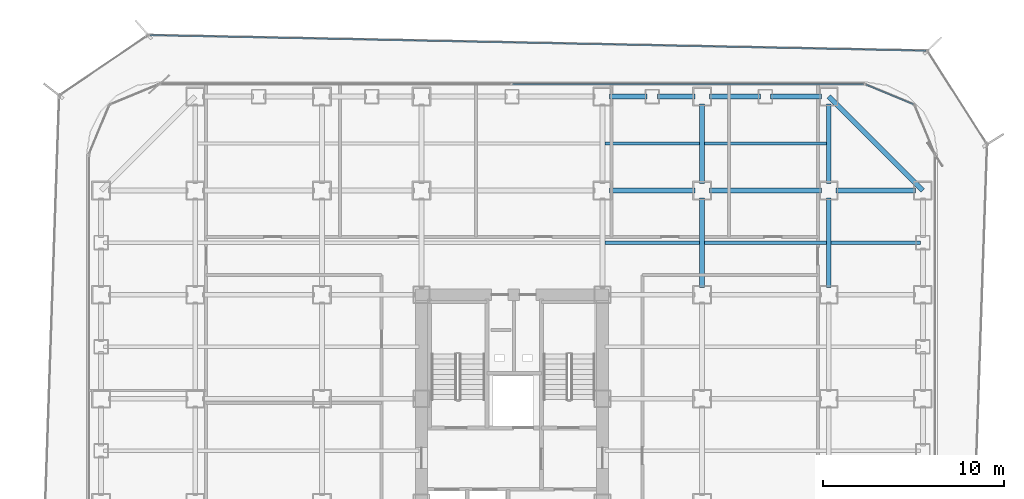
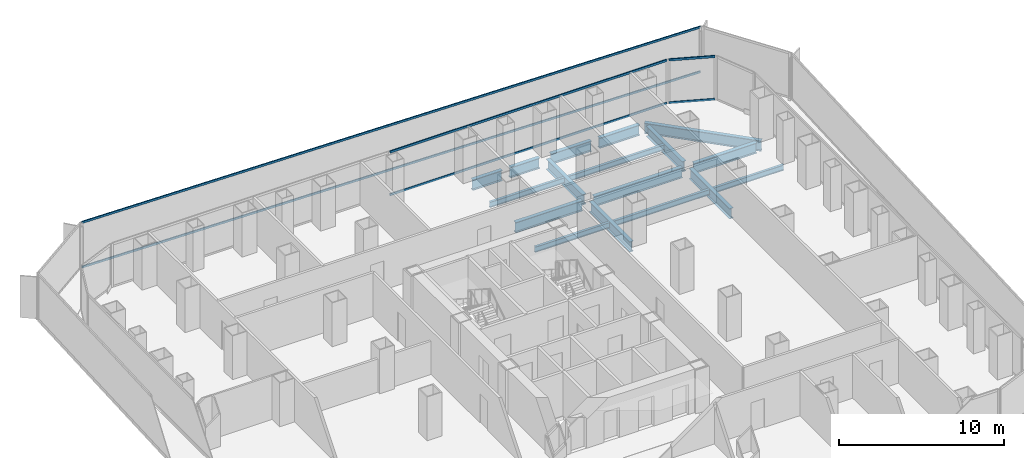
# One storey, part 14 of 22: 17 beams, 6 members, 3 elements without a shape of their own.
"""IFC4 building model written with IfcOpenShell, lengths in metres."""

from ifc_helpers import new_model, si_unit, direction, frame, origin, origin_2d, place, context, subcontext, project, spatial, hollow_rectangle, i_section, extrude, source, transform, mapped, material, layer, layer_set, material_profile, profile_set, type_object, element, aggregate, save


model = new_model("IFC4")

# Units and contexts
model_context = context("Model", 3, precision=1e-05, world=origin(), true_north=direction((0.0, 1.0)))
body_context = subcontext(model_context, "Body", "Model", "MODEL_VIEW")
ifc_project = project(units=[si_unit("LENGTHUNIT", "METRE"), si_unit("AREAUNIT", "SQUARE_METRE"), si_unit("VOLUMEUNIT", "CUBIC_METRE"), si_unit("PLANEANGLEUNIT", "RADIAN"), si_unit("MASSUNIT", "GRAM", prefix="KILO")], contexts=[model_context])

# Site, building, storey
site_placement = place(None, origin())
site = spatial("IfcSite", under=ifc_project, at=site_placement, CompositionType="ELEMENT")
building_placement = place(site_placement, origin())
building = spatial("IfcBuilding", under=site, at=building_placement, Name="Kolveth Station Tower", CompositionType="ELEMENT")
storey_placement = place(building_placement, frame((0.0, 0.0, 84.60009765625)))
storey = spatial("IfcBuildingStorey", under=building, at=storey_placement, Name="L22", CompositionType="ELEMENT", Elevation=84.60009765625)

# Beams
ifc_material_1 = material(Name="Steel S355", Category="steel")
ifc_material_profile_1 = material_profile(ifc_material_1, i_section(OverallWidth=0.26904296875, OverallDepth=0.77490234375, WebThickness=0.01708984375, FlangeThickness=0.0283203125, at=origin_2d()), Name="W760x220")
ifc_profile_set_1 = profile_set([ifc_material_profile_1], Name="Steel S355")
beam_type_1 = type_object("IfcBeamType", Name="Beam_SP1", PredefinedType="SPANDREL", material=ifc_profile_set_1)
shared_shape_1 = source(origin(), body_context, "Body", "SweptSolid", [
    extrude(i_section(OverallWidth=0.26904296875, OverallDepth=0.77490234375, WebThickness=0.01708984375, FlangeThickness=0.0283203125, at=origin_2d()), origin(), (0.0, 0.0, 1.0), 7.353759765625),
])
beam_1_placement = place(storey_placement, frame((46.199951171875, 34.5, -0.66748046875), z_axis=(-0.707106781187, 0.707106781187, 0.0), x_axis=(-0.707106781187, -0.707106781187, 0.0)))
element("IfcBeam", 1, at=beam_1_placement, inside=storey, type_object=beam_type_1, Name="L22 Corner Edge Girder BM-L22-CNR-NE", PredefinedType="SPANDREL", context=body_context, shape_type="MappedRepresentation", body=[
    mapped(shared_shape_1, transform((0.0, 0.0, 0.0), x_axis=(1.0, 0.0, 0.0), y_axis=(0.0, 1.0, 0.0), z_axis=(0.0, 0.0, 1.0), scale=1.0)),
])
shared_shape_2 = source(origin(), body_context, "Body", "SweptSolid", [
    extrude(i_section(OverallWidth=0.26904296875, OverallDepth=0.77490234375, WebThickness=0.01708984375, FlangeThickness=0.0283203125, at=origin_2d()), origin(), (0.0, 0.0, 1.0), 2.820068359375),
])
for number, where, z_axis, x_axis, name in (
    (2, (34.39990234375, 39.699951171875, -0.66748046875), (1.0, 0.0, 0.0), (0.0, 1.0, 0.0), "L22 Perimeter Spandrel BM-L22-PN-9"),
    (3, (37.780029296875, 39.699951171875, -0.66748046875), (1.0, 0.0, 0.0), (0.0, 1.0, 0.0), "L22 Perimeter Spandrel BM-L22-PN-10"),
):
    element("IfcBeam", number, at=place(storey_placement, frame(where, z_axis=z_axis, x_axis=x_axis)), inside=storey, type_object=beam_type_1, Name=name, PredefinedType="SPANDREL", context=body_context, shape_type="MappedRepresentation", body=[
        mapped(shared_shape_2, transform((0.0, 0.0, 0.0), x_axis=(1.0, 0.0, 0.0), y_axis=(0.0, 1.0, 0.0), z_axis=(0.0, 0.0, 1.0), scale=1.0)),
    ])
shared_shape_3 = source(origin(), body_context, "Body", "SweptSolid", [
    extrude(i_section(OverallWidth=0.26904296875, OverallDepth=0.77490234375, WebThickness=0.01708984375, FlangeThickness=0.0283203125, at=origin_2d()), origin(), (0.0, 0.0, 1.0), 2.070068359375),
])
for number, where, z_axis, x_axis, name in (
    (4, (28.89990234375, 39.699951171875, -0.66748046875), (1.0, 0.0, 0.0), (0.0, 1.0, 0.0), "L22 Perimeter Spandrel BM-L22-PN-7"),
    (5, (31.530029296875, 39.699951171875, -0.66748046875), (1.0, 0.0, 0.0), (0.0, 1.0, 0.0), "L22 Perimeter Spandrel BM-L22-PN-8"),
):
    element("IfcBeam", number, at=place(storey_placement, frame(where, z_axis=z_axis, x_axis=x_axis)), inside=storey, type_object=beam_type_1, Name=name, PredefinedType="SPANDREL", context=body_context, shape_type="MappedRepresentation", body=[
        mapped(shared_shape_3, transform((0.0, 0.0, 0.0), x_axis=(1.0, 0.0, 0.0), y_axis=(0.0, 1.0, 0.0), z_axis=(0.0, 0.0, 1.0), scale=1.0)),
    ])
ifc_material_profile_2 = material_profile(ifc_material_1, i_section(OverallWidth=0.26708984375, OverallDepth=0.76611328125, WebThickness=0.014892578125, FlangeThickness=0.023681640625, at=origin_2d()), Name="W760x185")
ifc_profile_set_2 = profile_set([ifc_material_profile_2], Name="Steel S355")
beam_type_2 = type_object("IfcBeamType", Name="Beam_B3", PredefinedType="BEAM", material=ifc_profile_set_2)
shared_shape_4 = source(origin(), body_context, "Body", "SweptSolid", [
    extrude(i_section(OverallWidth=0.26708984375, OverallDepth=0.76611328125, WebThickness=0.014892578125, FlangeThickness=0.023681640625, at=origin_2d()), origin(), (0.0, 0.0, 1.0), 4.400146484375),
])
for number, where, z_axis, x_axis, name in (
    (6, (41.39990234375, 34.5, -0.6630859375), (1.0, 0.0, 0.0), (0.0, 1.0, 0.0), "L22 Primary Girder BM-L22-GY345-7"),
    (7, (34.0, 34.89990234375, -0.6630859375), (0.0, 1.0, 0.0), (-1.0, 0.0, 0.0), "L22 Primary Girder BM-L22-GX340-7"),
    (8, (41.0, 34.89990234375, -0.6630859375), (0.0, 1.0, 0.0), (-1.0, 0.0, 0.0), "L22 Primary Girder BM-L22-GX410-7"),
):
    element("IfcBeam", number, at=place(storey_placement, frame(where, z_axis=z_axis, x_axis=x_axis)), inside=storey, type_object=beam_type_2, Name=name, PredefinedType="BEAM", context=body_context, shape_type="MappedRepresentation", body=[
        mapped(shared_shape_4, transform((0.0, 0.0, 0.0), x_axis=(1.0, 0.0, 0.0), y_axis=(0.0, 1.0, 0.0), z_axis=(0.0, 0.0, 1.0), scale=1.0)),
    ])
shared_shape_5 = source(origin(), body_context, "Body", "SweptSolid", [
    extrude(i_section(OverallWidth=0.26708984375, OverallDepth=0.76611328125, WebThickness=0.014892578125, FlangeThickness=0.023681640625, at=origin_2d()), origin(), (0.0, 0.0, 1.0), 6.2001953125),
])
beam_2_placement = place(storey_placement, frame((34.39990234375, 34.5, -0.6630859375), z_axis=(1.0, 0.0, 0.0), x_axis=(0.0, 1.0, 0.0)))
element("IfcBeam", 9, at=beam_2_placement, inside=storey, type_object=beam_type_2, Name="L22 Primary Girder BM-L22-GY345-6", PredefinedType="BEAM", context=body_context, shape_type="MappedRepresentation", body=[
    mapped(shared_shape_5, transform((0.0, 0.0, 0.0), x_axis=(1.0, 0.0, 0.0), y_axis=(0.0, 1.0, 0.0), z_axis=(0.0, 0.0, 1.0), scale=1.0)),
])
shared_shape_6 = source(origin(), body_context, "Body", "SweptSolid", [
    extrude(i_section(OverallWidth=0.26708984375, OverallDepth=0.76611328125, WebThickness=0.014892578125, FlangeThickness=0.023681640625, at=origin_2d()), origin(), (0.0, 0.0, 1.0), 4.7001953125),
])
beam_3_placement = place(storey_placement, frame((28.89990234375, 34.5, -0.6630859375), z_axis=(1.0, 0.0, 0.0), x_axis=(0.0, 1.0, 0.0)))
element("IfcBeam", 10, at=beam_3_placement, inside=storey, type_object=beam_type_2, Name="L22 Primary Girder BM-L22-GY345-5", PredefinedType="BEAM", context=body_context, shape_type="MappedRepresentation", body=[
    mapped(shared_shape_6, transform((0.0, 0.0, 0.0), x_axis=(1.0, 0.0, 0.0), y_axis=(0.0, 1.0, 0.0), z_axis=(0.0, 0.0, 1.0), scale=1.0)),
])
shared_shape_7 = source(origin(), body_context, "Body", "SweptSolid", [
    extrude(i_section(OverallWidth=0.26708984375, OverallDepth=0.76611328125, WebThickness=0.014892578125, FlangeThickness=0.023681640625, at=origin_2d()), origin(), (0.0, 0.0, 1.0), 4.9501953125),
])
for number, where, z_axis, x_axis, name in (
    (11, (34.0, 29.14990234375, -0.6630859375), (0.0, 1.0, 0.0), (-1.0, 0.0, 0.0), "L22 Primary Girder BM-L22-GX340-6"),
    (12, (41.0, 29.14990234375, -0.6630859375), (0.0, 1.0, 0.0), (-1.0, 0.0, 0.0), "L22 Primary Girder BM-L22-GX410-6"),
):
    element("IfcBeam", number, at=place(storey_placement, frame(where, z_axis=z_axis, x_axis=x_axis)), inside=storey, type_object=beam_type_2, Name=name, PredefinedType="BEAM", context=body_context, shape_type="MappedRepresentation", body=[
        mapped(shared_shape_7, transform((0.0, 0.0, 0.0), x_axis=(1.0, 0.0, 0.0), y_axis=(0.0, 1.0, 0.0), z_axis=(0.0, 0.0, 1.0), scale=1.0)),
    ])
ifc_material_profile_3 = material_profile(ifc_material_1, i_section(OverallWidth=0.177978515625, OverallDepth=0.406982421875, WebThickness=0.0078125, FlangeThickness=0.0126953125, at=origin_2d()), Name="W410x60")
ifc_profile_set_3 = profile_set([ifc_material_profile_3], Name="Steel S355")
beam_type_3 = type_object("IfcBeamType", Name="Beam_J1", PredefinedType="JOIST", material=ifc_profile_set_3)
shared_shape_8 = source(origin(), body_context, "Body", "SweptSolid", [
    extrude(i_section(OverallWidth=0.177978515625, OverallDepth=0.406982421875, WebThickness=0.0078125, FlangeThickness=0.0126953125, at=origin_2d()), origin(), (0.0, 0.0, 1.0), 4.935791015625),
])
beam_4_placement = place(storey_placement, frame((41.131591796875, 31.625, -0.483642578125), z_axis=(1.0, 0.0, 0.0), x_axis=(0.0, 1.0, 0.0)))
element("IfcBeam", 13, at=beam_4_placement, inside=storey, type_object=beam_type_3, Name="L22 Secondary Joist JST-L22-7-6", PredefinedType="JOIST", context=body_context, shape_type="MappedRepresentation", body=[
    mapped(shared_shape_8, transform((0.0, 0.0, 0.0), x_axis=(1.0, 0.0, 0.0), y_axis=(0.0, 1.0, 0.0), z_axis=(0.0, 0.0, 1.0), scale=1.0)),
])
shared_shape_9 = source(origin(), body_context, "Body", "SweptSolid", [
    extrude(i_section(OverallWidth=0.177978515625, OverallDepth=0.406982421875, WebThickness=0.0078125, FlangeThickness=0.0126953125, at=origin_2d()), origin(), (0.0, 0.0, 1.0), 6.73681640625),
])
for number, where, z_axis, x_axis, name in (
    (14, (34.131591796875, 31.625, -0.483642578125), (1.0, 0.0, 0.0), (0.0, 1.0, 0.0), "L22 Secondary Joist JST-L22-6-6"),
    (15, (34.131591796875, 37.10009765625, -0.483642578125), (1.0, 0.0, 0.0), (0.0, 1.0, 0.0), "L22 Secondary Joist JST-L22-6-7"),
):
    element("IfcBeam", number, at=place(storey_placement, frame(where, z_axis=z_axis, x_axis=x_axis)), inside=storey, type_object=beam_type_3, Name=name, PredefinedType="JOIST", context=body_context, shape_type="MappedRepresentation", body=[
        mapped(shared_shape_9, transform((0.0, 0.0, 0.0), x_axis=(1.0, 0.0, 0.0), y_axis=(0.0, 1.0, 0.0), z_axis=(0.0, 0.0, 1.0), scale=1.0)),
    ])
shared_shape_10 = source(origin(), body_context, "Body", "SweptSolid", [
    extrude(i_section(OverallWidth=0.177978515625, OverallDepth=0.406982421875, WebThickness=0.0078125, FlangeThickness=0.0126953125, at=origin_2d()), origin(), (0.0, 0.0, 1.0), 5.23681640625),
])
for number, where, z_axis, x_axis, name in (
    (16, (28.631591796875, 31.625, -0.483642578125), (1.0, 0.0, 0.0), (0.0, 1.0, 0.0), "L22 Secondary Joist JST-L22-5-6"),
    (17, (28.631591796875, 37.10009765625, -0.483642578125), (1.0, 0.0, 0.0), (0.0, 1.0, 0.0), "L22 Secondary Joist JST-L22-5-7"),
):
    element("IfcBeam", number, at=place(storey_placement, frame(where, z_axis=z_axis, x_axis=x_axis)), inside=storey, type_object=beam_type_3, Name=name, PredefinedType="JOIST", context=body_context, shape_type="MappedRepresentation", body=[
        mapped(shared_shape_10, transform((0.0, 0.0, 0.0), x_axis=(1.0, 0.0, 0.0), y_axis=(0.0, 1.0, 0.0), z_axis=(0.0, 0.0, 1.0), scale=1.0)),
    ])

# Curtain wall, members
ifc_material_2 = material(Name="Aluminium 6063-T6 and low-E dark glass", Category="aluminium")
ifc_layer_1 = layer(ifc_material_2, 0.179931640625)
ifc_layer_set_1 = layer_set([ifc_layer_1], Name="Aluminium 6063-T6 and low-E dark glass")
curtain_wall_type_1 = type_object("IfcCurtainWallType", Name="CurtainWall_CW-Z1", PredefinedType="NOTDEFINED", material=ifc_layer_set_1)
curtain_wall_1_placement = place(storey_placement, origin())
curtain_wall_1 = element("IfcCurtainWall", 18, at=curtain_wall_1_placement, inside=storey, type_object=curtain_wall_type_1, Name="L22 Inner Thermal Curtain Wall 5", PredefinedType="NOTDEFINED")
ifc_material_3 = material(Name="Black anodized aluminium 6063-T6", Category="aluminium")
ifc_material_profile_4 = material_profile(ifc_material_3, hollow_rectangle(XDim=0.074951171875, YDim=0.159912109375, WallThickness=0.0048828125, at=origin_2d()), Name="ALU-75x160x5")
ifc_profile_set_4 = profile_set([ifc_material_profile_4], Name="Black anodized aluminium 6063-T6")
member_type_1 = type_object("IfcMemberType", Name="Transom_TR1", PredefinedType="USERDEFINED", material=ifc_profile_set_4)
shared_shape_11 = source(origin(), body_context, "Body", "SweptSolid", [
    extrude(hollow_rectangle(XDim=0.074951171875, YDim=0.159912109375, WallThickness=0.0048828125, at=origin_2d()), origin(), (0.0, 0.0, 1.0), 2.819580078125),
])
member_1_placement = place(storey_placement, frame((45.67431640625, 39.272216796875, 0.037353515625), z_axis=(-0.923869084389, 0.382708655389, 0.0), x_axis=(-0.382708655389, -0.923869084389, 0.0)))
member_1 = element("IfcMember", 19, at=member_1_placement, type_object=member_type_1, Name="CW-Z1 transom 1.1", ObjectType="TRANSOM", PredefinedType="USERDEFINED", context=body_context, shape_type="MappedRepresentation", body=[
    mapped(shared_shape_11, transform((0.0, 0.0, 0.0), x_axis=(1.0, 0.0, 0.0), y_axis=(0.0, 1.0, 0.0), z_axis=(0.0, 0.0, 1.0), scale=1.0)),
])
member_2_placement = place(storey_placement, frame((45.67431640625, 39.272216796875, 3.202392578125), z_axis=(-0.923869084389, 0.382708655389, 0.0), x_axis=(-0.382708655389, -0.923869084389, 0.0)))
member_2 = element("IfcMember", 20, at=member_2_placement, type_object=member_type_1, Name="CW-Z1 transom 1.2", ObjectType="TRANSOM", PredefinedType="USERDEFINED", context=body_context, shape_type="MappedRepresentation", body=[
    mapped(shared_shape_11, transform((0.0, 0.0, 0.0), x_axis=(1.0, 0.0, 0.0), y_axis=(0.0, 1.0, 0.0), z_axis=(0.0, 0.0, 1.0), scale=1.0)),
])
aggregate(curtain_wall_1, [member_1, member_2])

curtain_wall_2_placement = place(storey_placement, origin())
curtain_wall_2 = element("IfcCurtainWall", 21, at=curtain_wall_2_placement, inside=storey, type_object=curtain_wall_type_1, Name="L22 Inner Thermal Curtain Wall 6", PredefinedType="NOTDEFINED")
shared_shape_12 = source(origin(), body_context, "Body", "SweptSolid", [
    extrude(hollow_rectangle(XDim=0.074951171875, YDim=0.159912109375, WallThickness=0.0048828125, at=origin_2d()), origin(), (0.0, 0.0, 1.0), 19.387451171875),
])
member_3_placement = place(storey_placement, frame((42.925048828125, 40.3798828125, 0.037353515625), z_axis=(-1.0, 0.0, 0.0), x_axis=(0.0, -1.0, 0.0)))
member_3 = element("IfcMember", 22, at=member_3_placement, type_object=member_type_1, Name="CW-Z1 transom 1.1", ObjectType="TRANSOM", PredefinedType="USERDEFINED", context=body_context, shape_type="MappedRepresentation", body=[
    mapped(shared_shape_12, transform((0.0, 0.0, 0.0), x_axis=(1.0, 0.0, 0.0), y_axis=(0.0, 1.0, 0.0), z_axis=(0.0, 0.0, 1.0), scale=1.0)),
])
member_4_placement = place(storey_placement, frame((42.925048828125, 40.3798828125, 3.202392578125), z_axis=(-1.0, 0.0, 0.0), x_axis=(0.0, -1.0, 0.0)))
member_4 = element("IfcMember", 23, at=member_4_placement, type_object=member_type_1, Name="CW-Z1 transom 1.2", ObjectType="TRANSOM", PredefinedType="USERDEFINED", context=body_context, shape_type="MappedRepresentation", body=[
    mapped(shared_shape_12, transform((0.0, 0.0, 0.0), x_axis=(1.0, 0.0, 0.0), y_axis=(0.0, 1.0, 0.0), z_axis=(0.0, 0.0, 1.0), scale=1.0)),
])
aggregate(curtain_wall_2, [member_3, member_4])

ifc_material_4 = material(Name="Black anodized aluminium 6063-T6 and dark solar glass", Category="aluminium")
ifc_layer_2 = layer(ifc_material_4, 0.159912109375)
ifc_layer_set_2 = layer_set([ifc_layer_2], Name="Black anodized aluminium 6063-T6 and dark solar glass")
curtain_wall_type_2 = type_object("IfcCurtainWallType", Name="OUTER SKIN CW-OS", PredefinedType="NOTDEFINED", material=ifc_layer_set_2)
curtain_wall_3_placement = place(storey_placement, origin())
curtain_wall_3 = element("IfcCurtainWall", 24, at=curtain_wall_3_placement, inside=storey, type_object=curtain_wall_type_2, Name="L22 Outer Ventilated Skin Curtain Wall 4", PredefinedType="NOTDEFINED")
ifc_material_profile_5 = material_profile(ifc_material_3, hollow_rectangle(XDim=0.080078125, YDim=0.14990234375, WallThickness=0.0048828125, at=origin_2d()), Name="ALU-80x150x5")
ifc_profile_set_5 = profile_set([ifc_material_profile_5], Name="Black anodized aluminium 6063-T6")
member_type_2 = type_object("IfcMemberType", Name="Transom_TR-OS", PredefinedType="USERDEFINED", material=ifc_profile_set_5)
shared_shape_13 = source(origin(), body_context, "Body", "SweptSolid", [
    extrude(hollow_rectangle(XDim=0.080078125, YDim=0.14990234375, WallThickness=0.0048828125, at=origin_2d()), origin(), (0.0, 0.0, 1.0), 42.874755859375),
])
member_5_placement = place(storey_placement, frame((46.3623046875, 42.2294921875, 0.039794921875), z_axis=(-0.999798988455, 0.020049505857, 0.0), x_axis=(-0.020049505857, -0.999798988455, 0.0)))
member_5 = element("IfcMember", 25, at=member_5_placement, type_object=member_type_2, Name="CW-OS transom 1.1", ObjectType="TRANSOM", PredefinedType="USERDEFINED", context=body_context, shape_type="MappedRepresentation", body=[
    mapped(shared_shape_13, transform((0.0, 0.0, 0.0), x_axis=(1.0, 0.0, 0.0), y_axis=(0.0, 1.0, 0.0), z_axis=(0.0, 0.0, 1.0), scale=1.0)),
])
member_6_placement = place(storey_placement, frame((46.3623046875, 42.2294921875, 3.349853515625), z_axis=(-0.999798988455, 0.020049505857, 0.0), x_axis=(-0.020049505857, -0.999798988455, 0.0)))
member_6 = element("IfcMember", 26, at=member_6_placement, type_object=member_type_2, Name="CW-OS transom 1.2", ObjectType="TRANSOM", PredefinedType="USERDEFINED", context=body_context, shape_type="MappedRepresentation", body=[
    mapped(shared_shape_13, transform((0.0, 0.0, 0.0), x_axis=(1.0, 0.0, 0.0), y_axis=(0.0, 1.0, 0.0), z_axis=(0.0, 0.0, 1.0), scale=1.0)),
])
aggregate(curtain_wall_3, [member_5, member_6])

save(model, "model.ifc")
